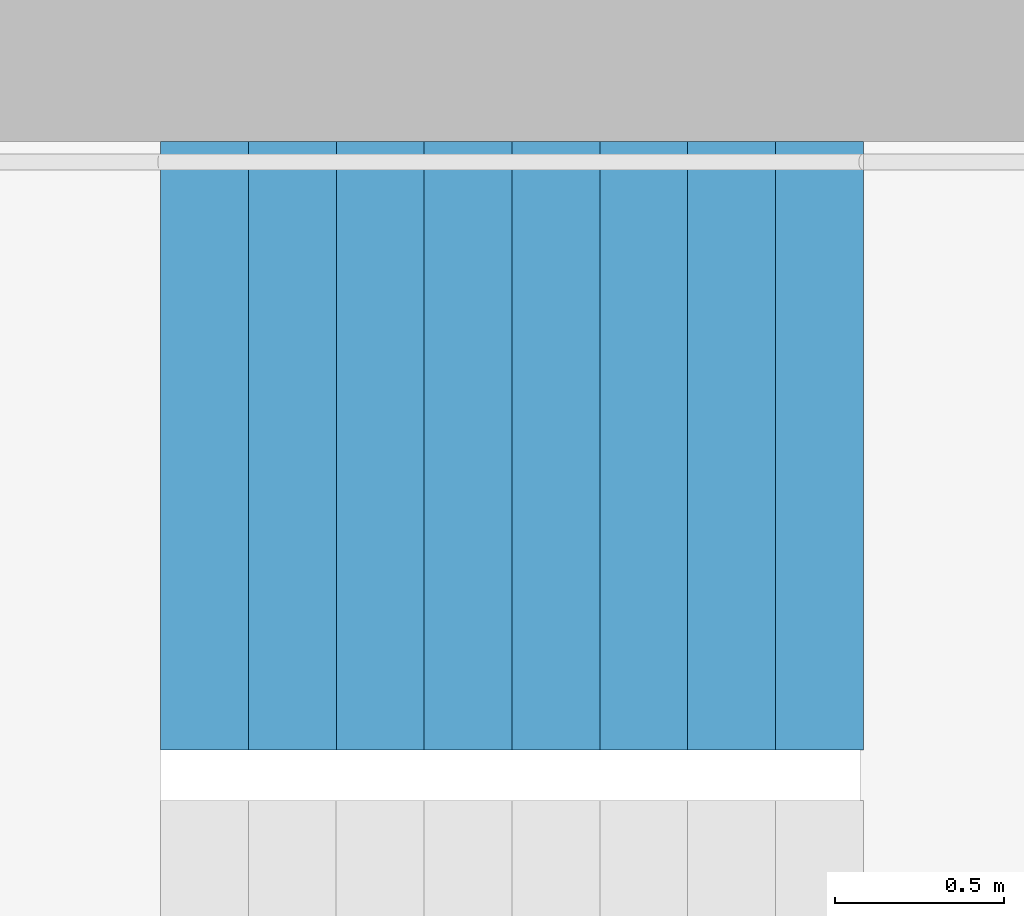
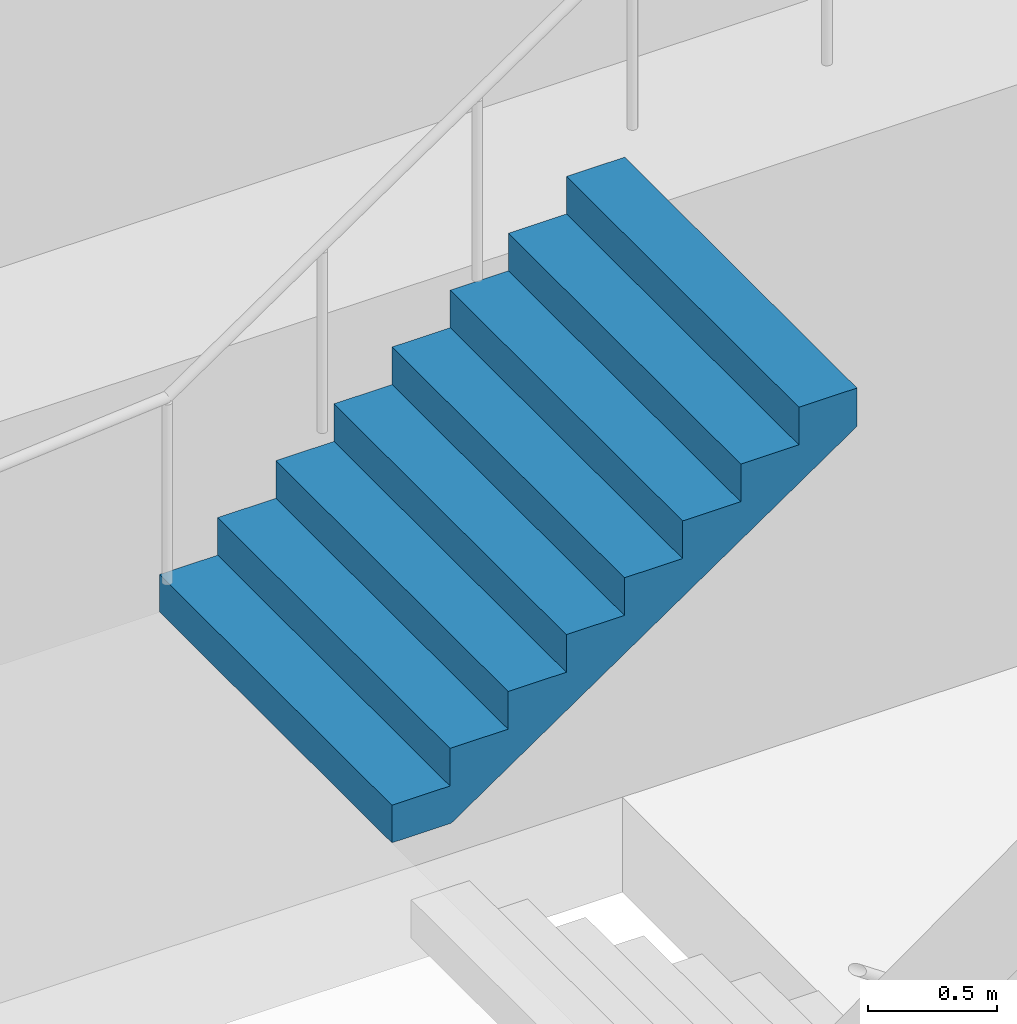
# One storey, part 26 of 27: 1 stair flight, 1 element without a shape of its own.
"""IFC4 building model written with IfcOpenShell, lengths in metres."""

from ifc_helpers import new_model, si_unit, direction, frame, origin, place, context, subcontext, project, spatial, triangles, material, type_object, element, aggregate, save


model = new_model("IFC4")

# Units and contexts
model_context = context("Model", 3, precision=1e-05, world=origin(), true_north=direction((0.0, 1.0)))
body_context = subcontext(model_context, "Body", "Model", "MODEL_VIEW")
ifc_project = project(units=[si_unit("LENGTHUNIT", "METRE"), si_unit("AREAUNIT", "SQUARE_METRE"), si_unit("VOLUMEUNIT", "CUBIC_METRE"), si_unit("PLANEANGLEUNIT", "RADIAN"), si_unit("MASSUNIT", "GRAM", prefix="KILO")], contexts=[model_context])

# Site, building, storey
site_placement = place(None, origin())
site = spatial("IfcSite", under=ifc_project, at=site_placement, CompositionType="ELEMENT")
building_placement = place(site_placement, origin())
building = spatial("IfcBuilding", under=site, at=building_placement, Name="Hakoniwa Tower and Hamabe Station Hall", CompositionType="ELEMENT")
storey_placement = place(building_placement, frame((0.0, 0.0, 242.199951171875)))
storey = spatial("IfcBuildingStorey", under=building, at=storey_placement, Name="L68", CompositionType="ELEMENT", Elevation=242.199951171875)

# Stair, stair flight
ifc_material_1 = material(Name="Concrete C40", Category="concrete")
stair_type = type_object("IfcStairType", Name="ESCAPE STAIR 1800", PredefinedType="HALF_TURN_STAIR", material=ifc_material_1)
stair_placement = place(storey_placement, origin())
stair = element("IfcStair", 1, at=stair_placement, inside=storey, type_object=stair_type, Name="Escape stair ST-3 L68", PredefinedType="HALF_TURN_STAIR")
ifc_material_2 = material(Name="Concrete C40", Category="concrete")
stair_flight_type = type_object("IfcStairFlightType", Name="STAIR FLIGHT 1800", PredefinedType="STRAIGHT", material=ifc_material_2)
stair_flight_placement = place(storey_placement, frame((22.320068359375, 6.60009765625, 1.60009765625), z_axis=(0.0, 0.0, 1.0), x_axis=(1.0, 0.0, 0.0)))
stair_flight = element("IfcStairFlight", 2, at=stair_flight_placement, type_object=stair_flight_type, Name="ST-3 flight 2", NumberOfRisers=9, NumberOfTreads=8, PredefinedType="STRAIGHT", RiserHeight=0.177777778, TreadLength=0.26, context=body_context, shape_type="Tessellation", body=[
    triangles([(0.0, 0.89990234375, 0.0), (0.260009765625, 0.89990234375, 0.0), (0.265625, 0.89990234375, 0.0), (0.52001953125, 0.89990234375, 0.174072265625), (0.780029296875, 0.89990234375, 0.351806640625), (1.0400390625, 0.89990234375, 0.529541015625), (1.300048828125, 0.89990234375, 0.707275390625), (1.56005859375, 0.89990234375, 0.885009765625), (1.820068359375, 0.89990234375, 1.062744140625), (2.080078125, 0.89990234375, 1.24072265625), (2.080078125, 0.89990234375, 1.422119140625), (1.820068359375, 0.89990234375, 1.422119140625), (1.820068359375, 0.89990234375, 1.244384765625), (1.56005859375, 0.89990234375, 1.244384765625), (1.56005859375, 0.89990234375, 1.066650390625), (1.300048828125, 0.89990234375, 1.066650390625), (1.300048828125, 0.89990234375, 0.888916015625), (1.0400390625, 0.89990234375, 0.888916015625), (1.0400390625, 0.89990234375, 0.711181640625), (0.780029296875, 0.89990234375, 0.711181640625), (0.780029296875, 0.89990234375, 0.533447265625), (0.52001953125, 0.89990234375, 0.533447265625), (0.52001953125, 0.89990234375, 0.35546875), (0.265625, 0.89990234375, 0.35546875), (0.260009765625, 0.89990234375, 0.35546875), (0.260009765625, 0.89990234375, 0.177734375), (0.0, 0.89990234375, 0.177734375), (0.0, 0.06005859375, 0.0), (0.260009765625, 0.06005859375, 0.0), (0.265625, 0.06005859375, 0.0), (0.52001953125, 0.06005859375, 0.174072265625), (0.780029296875, 0.06005859375, 0.351806640625), (1.0400390625, 0.06005859375, 0.529541015625), (1.300048828125, 0.06005859375, 0.707275390625), (1.56005859375, 0.06005859375, 0.885009765625), (1.820068359375, 0.06005859375, 1.062744140625), (2.080078125, 0.06005859375, 1.24072265625), (2.080078125, 0.06005859375, 1.422119140625), (1.820068359375, 0.06005859375, 1.422119140625), (1.820068359375, 0.06005859375, 1.244384765625), (1.56005859375, 0.06005859375, 1.244384765625), (1.56005859375, 0.06005859375, 1.066650390625), (1.300048828125, 0.06005859375, 1.066650390625), (1.300048828125, 0.06005859375, 0.888916015625), (1.0400390625, 0.06005859375, 0.888916015625), (1.0400390625, 0.06005859375, 0.711181640625), (0.780029296875, 0.06005859375, 0.711181640625), (0.780029296875, 0.06005859375, 0.533447265625), (0.52001953125, 0.06005859375, 0.533447265625), (0.52001953125, 0.06005859375, 0.35546875), (0.265625, 0.06005859375, 0.35546875), (0.260009765625, 0.06005859375, 0.35546875), (0.260009765625, 0.06005859375, 0.177734375), (0.0, 0.06005859375, 0.177734375), (0.0, 0.04296875, 0.0), (0.260009765625, 0.04296875, 0.0), (0.265625, 0.04296875, 0.0), (0.52001953125, 0.04296875, 0.174072265625), (0.780029296875, 0.04296875, 0.351806640625), (1.0400390625, 0.04296875, 0.529541015625), (1.300048828125, 0.04296875, 0.707275390625), (1.56005859375, 0.04296875, 0.885009765625), (1.820068359375, 0.04296875, 1.062744140625), (2.080078125, 0.04296875, 1.24072265625), (2.080078125, 0.04296875, 1.422119140625), (1.820068359375, 0.04296875, 1.422119140625), (1.820068359375, 0.04296875, 1.244384765625), (1.56005859375, 0.04296875, 1.244384765625), (1.56005859375, 0.04296875, 1.066650390625), (1.300048828125, 0.04296875, 1.066650390625), (1.300048828125, 0.04296875, 0.888916015625), (1.0400390625, 0.04296875, 0.888916015625), (1.0400390625, 0.04296875, 0.711181640625), (0.780029296875, 0.04296875, 0.711181640625), (0.780029296875, 0.04296875, 0.533447265625), (0.52001953125, 0.04296875, 0.533447265625), (0.52001953125, 0.04296875, 0.35546875), (0.265625, 0.04296875, 0.35546875), (0.260009765625, 0.04296875, 0.35546875), (0.260009765625, 0.04296875, 0.177734375), (0.0, 0.04296875, 0.177734375), (0.0, 0.025634765625, 0.0), (0.260009765625, 0.025634765625, 0.0), (0.265625, 0.025634765625, 0.0), (0.52001953125, 0.025634765625, 0.174072265625), (0.780029296875, 0.025634765625, 0.351806640625), (1.0400390625, 0.025634765625, 0.529541015625), (1.300048828125, 0.025634765625, 0.707275390625), (1.56005859375, 0.025634765625, 0.885009765625), (1.820068359375, 0.025634765625, 1.062744140625), (2.080078125, 0.025634765625, 1.24072265625), (2.080078125, 0.025634765625, 1.422119140625), (1.820068359375, 0.025634765625, 1.422119140625), (1.820068359375, 0.025634765625, 1.244384765625), (1.56005859375, 0.025634765625, 1.244384765625), (1.56005859375, 0.025634765625, 1.066650390625), (1.300048828125, 0.025634765625, 1.066650390625), (1.300048828125, 0.025634765625, 0.888916015625), (1.0400390625, 0.025634765625, 0.888916015625), (1.0400390625, 0.025634765625, 0.711181640625), (0.780029296875, 0.025634765625, 0.711181640625), (0.780029296875, 0.025634765625, 0.533447265625), (0.52001953125, 0.025634765625, 0.533447265625), (0.52001953125, 0.025634765625, 0.35546875), (0.265625, 0.025634765625, 0.35546875), (0.260009765625, 0.025634765625, 0.35546875), (0.260009765625, 0.025634765625, 0.177734375), (0.0, 0.025634765625, 0.177734375), (0.0, 0.008544921875, 0.0), (0.260009765625, 0.008544921875, 0.0), (0.265625, 0.008544921875, 0.0), (0.52001953125, 0.008544921875, 0.174072265625), (0.780029296875, 0.008544921875, 0.351806640625), (1.0400390625, 0.008544921875, 0.529541015625), (1.300048828125, 0.008544921875, 0.707275390625), (1.56005859375, 0.008544921875, 0.885009765625), (1.820068359375, 0.008544921875, 1.062744140625), (2.080078125, 0.008544921875, 1.24072265625), (2.080078125, 0.008544921875, 1.422119140625), (1.820068359375, 0.008544921875, 1.422119140625), (1.820068359375, 0.008544921875, 1.244384765625), (1.56005859375, 0.008544921875, 1.244384765625), (1.56005859375, 0.008544921875, 1.066650390625), (1.300048828125, 0.008544921875, 1.066650390625), (1.300048828125, 0.008544921875, 0.888916015625), (1.0400390625, 0.008544921875, 0.888916015625), (1.0400390625, 0.008544921875, 0.711181640625), (0.780029296875, 0.008544921875, 0.711181640625), (0.780029296875, 0.008544921875, 0.533447265625), (0.52001953125, 0.008544921875, 0.533447265625), (0.52001953125, 0.008544921875, 0.35546875), (0.265625, 0.008544921875, 0.35546875), (0.260009765625, 0.008544921875, 0.35546875), (0.260009765625, 0.008544921875, 0.177734375), (0.0, 0.008544921875, 0.177734375), (0.0, -0.008544921875, 0.0), (0.260009765625, -0.008544921875, 0.0), (0.265625, -0.008544921875, 0.0), (0.52001953125, -0.008544921875, 0.174072265625), (0.780029296875, -0.008544921875, 0.351806640625), (1.0400390625, -0.008544921875, 0.529541015625), (1.300048828125, -0.008544921875, 0.707275390625), (1.56005859375, -0.008544921875, 0.885009765625), (1.820068359375, -0.008544921875, 1.062744140625), (2.080078125, -0.008544921875, 1.24072265625), (2.080078125, -0.008544921875, 1.422119140625), (1.820068359375, -0.008544921875, 1.422119140625), (1.820068359375, -0.008544921875, 1.244384765625), (1.56005859375, -0.008544921875, 1.244384765625), (1.56005859375, -0.008544921875, 1.066650390625), (1.300048828125, -0.008544921875, 1.066650390625), (1.300048828125, -0.008544921875, 0.888916015625), (1.0400390625, -0.008544921875, 0.888916015625), (1.0400390625, -0.008544921875, 0.711181640625), (0.780029296875, -0.008544921875, 0.711181640625), (0.780029296875, -0.008544921875, 0.533447265625), (0.52001953125, -0.008544921875, 0.533447265625), (0.52001953125, -0.008544921875, 0.35546875), (0.265625, -0.008544921875, 0.35546875), (0.260009765625, -0.008544921875, 0.35546875), (0.260009765625, -0.008544921875, 0.177734375), (0.0, -0.008544921875, 0.177734375), (0.0, -0.025634765625, 0.0), (0.260009765625, -0.025634765625, 0.0), (0.265625, -0.025634765625, 0.0), (0.52001953125, -0.025634765625, 0.174072265625), (0.780029296875, -0.025634765625, 0.351806640625), (1.0400390625, -0.025634765625, 0.529541015625), (1.300048828125, -0.025634765625, 0.707275390625), (1.56005859375, -0.025634765625, 0.885009765625), (1.820068359375, -0.025634765625, 1.062744140625), (2.080078125, -0.025634765625, 1.24072265625), (2.080078125, -0.025634765625, 1.422119140625), (1.820068359375, -0.025634765625, 1.422119140625), (1.820068359375, -0.025634765625, 1.244384765625), (1.56005859375, -0.025634765625, 1.244384765625), (1.56005859375, -0.025634765625, 1.066650390625), (1.300048828125, -0.025634765625, 1.066650390625), (1.300048828125, -0.025634765625, 0.888916015625), (1.0400390625, -0.025634765625, 0.888916015625), (1.0400390625, -0.025634765625, 0.711181640625), (0.780029296875, -0.025634765625, 0.711181640625), (0.780029296875, -0.025634765625, 0.533447265625), (0.52001953125, -0.025634765625, 0.533447265625), (0.52001953125, -0.025634765625, 0.35546875), (0.265625, -0.025634765625, 0.35546875), (0.260009765625, -0.025634765625, 0.35546875), (0.260009765625, -0.025634765625, 0.177734375), (0.0, -0.025634765625, 0.177734375), (0.0, -0.04296875, 0.0), (0.260009765625, -0.04296875, 0.0), (0.265625, -0.04296875, 0.0), (0.52001953125, -0.04296875, 0.174072265625), (0.780029296875, -0.04296875, 0.351806640625), (1.0400390625, -0.04296875, 0.529541015625), (1.300048828125, -0.04296875, 0.707275390625), (1.56005859375, -0.04296875, 0.885009765625), (1.820068359375, -0.04296875, 1.062744140625), (2.080078125, -0.04296875, 1.24072265625), (2.080078125, -0.04296875, 1.422119140625), (1.820068359375, -0.04296875, 1.422119140625), (1.820068359375, -0.04296875, 1.244384765625), (1.56005859375, -0.04296875, 1.244384765625), (1.56005859375, -0.04296875, 1.066650390625), (1.300048828125, -0.04296875, 1.066650390625), (1.300048828125, -0.04296875, 0.888916015625), (1.0400390625, -0.04296875, 0.888916015625), (1.0400390625, -0.04296875, 0.711181640625), (0.780029296875, -0.04296875, 0.711181640625), (0.780029296875, -0.04296875, 0.533447265625), (0.52001953125, -0.04296875, 0.533447265625), (0.52001953125, -0.04296875, 0.35546875), (0.265625, -0.04296875, 0.35546875), (0.260009765625, -0.04296875, 0.35546875), (0.260009765625, -0.04296875, 0.177734375), (0.0, -0.04296875, 0.177734375), (0.0, -0.06005859375, 0.0), (0.260009765625, -0.06005859375, 0.0), (0.265625, -0.06005859375, 0.0), (0.52001953125, -0.06005859375, 0.174072265625), (0.780029296875, -0.06005859375, 0.351806640625), (1.0400390625, -0.06005859375, 0.529541015625), (1.300048828125, -0.06005859375, 0.707275390625), (1.56005859375, -0.06005859375, 0.885009765625), (1.820068359375, -0.06005859375, 1.062744140625), (2.080078125, -0.06005859375, 1.24072265625), (2.080078125, -0.06005859375, 1.422119140625), (1.820068359375, -0.06005859375, 1.422119140625), (1.820068359375, -0.06005859375, 1.244384765625), (1.56005859375, -0.06005859375, 1.244384765625), (1.56005859375, -0.06005859375, 1.066650390625), (1.300048828125, -0.06005859375, 1.066650390625), (1.300048828125, -0.06005859375, 0.888916015625), (1.0400390625, -0.06005859375, 0.888916015625), (1.0400390625, -0.06005859375, 0.711181640625), (0.780029296875, -0.06005859375, 0.711181640625), (0.780029296875, -0.06005859375, 0.533447265625), (0.52001953125, -0.06005859375, 0.533447265625), (0.52001953125, -0.06005859375, 0.35546875), (0.265625, -0.06005859375, 0.35546875), (0.260009765625, -0.06005859375, 0.35546875), (0.260009765625, -0.06005859375, 0.177734375), (0.0, -0.06005859375, 0.177734375), (0.0, -0.89990234375, 0.0), (0.260009765625, -0.89990234375, 0.0), (0.265625, -0.89990234375, 0.0), (0.52001953125, -0.89990234375, 0.174072265625), (0.780029296875, -0.89990234375, 0.351806640625), (1.0400390625, -0.89990234375, 0.529541015625), (1.300048828125, -0.89990234375, 0.707275390625), (1.56005859375, -0.89990234375, 0.885009765625), (1.820068359375, -0.89990234375, 1.062744140625), (2.080078125, -0.89990234375, 1.24072265625), (2.080078125, -0.89990234375, 1.422119140625), (1.820068359375, -0.89990234375, 1.422119140625), (1.820068359375, -0.89990234375, 1.244384765625), (1.56005859375, -0.89990234375, 1.244384765625), (1.56005859375, -0.89990234375, 1.066650390625), (1.300048828125, -0.89990234375, 1.066650390625), (1.300048828125, -0.89990234375, 0.888916015625), (1.0400390625, -0.89990234375, 0.888916015625), (1.0400390625, -0.89990234375, 0.711181640625), (0.780029296875, -0.89990234375, 0.711181640625), (0.780029296875, -0.89990234375, 0.533447265625), (0.52001953125, -0.89990234375, 0.533447265625), (0.52001953125, -0.89990234375, 0.35546875), (0.265625, -0.89990234375, 0.35546875), (0.260009765625, -0.89990234375, 0.35546875), (0.260009765625, -0.89990234375, 0.177734375), (0.0, -0.89990234375, 0.177734375)], [[2, 27, 26], [245, 269, 270], [2, 1, 27], [245, 270, 244], [3, 25, 24], [246, 267, 268], [3, 26, 25], [246, 268, 269], [3, 2, 26], [246, 269, 245], [4, 24, 23], [247, 266, 267], [4, 3, 24], [247, 267, 246], [5, 22, 21], [248, 264, 265], [5, 23, 22], [248, 265, 266], [5, 4, 23], [248, 266, 247], [6, 20, 19], [249, 262, 263], [6, 21, 20], [249, 263, 264], [6, 5, 21], [249, 264, 248], [7, 18, 17], [250, 260, 261], [7, 19, 18], [250, 261, 262], [7, 6, 19], [250, 262, 249], [8, 16, 15], [251, 258, 259], [8, 17, 16], [251, 259, 260], [8, 7, 17], [251, 260, 250], [9, 14, 13], [252, 256, 257], [9, 15, 14], [252, 257, 258], [9, 8, 15], [252, 258, 251], [10, 12, 11], [253, 254, 255], [10, 13, 12], [253, 255, 256], [10, 9, 13], [253, 256, 252], [1, 2, 29], [1, 29, 28], [28, 29, 56], [28, 56, 55], [55, 56, 83], [55, 83, 82], [82, 83, 110], [82, 110, 109], [109, 110, 137], [109, 137, 136], [136, 137, 164], [136, 164, 163], [163, 164, 191], [163, 191, 190], [190, 191, 218], [190, 218, 217], [217, 218, 245], [217, 245, 244], [2, 3, 30], [2, 30, 29], [29, 30, 57], [29, 57, 56], [56, 57, 84], [56, 84, 83], [83, 84, 111], [83, 111, 110], [110, 111, 138], [110, 138, 137], [137, 138, 165], [137, 165, 164], [164, 165, 192], [164, 192, 191], [191, 192, 219], [191, 219, 218], [218, 219, 246], [218, 246, 245], [3, 4, 31], [3, 31, 30], [30, 31, 58], [30, 58, 57], [57, 58, 85], [57, 85, 84], [84, 85, 112], [84, 112, 111], [111, 112, 139], [111, 139, 138], [138, 139, 166], [138, 166, 165], [165, 166, 193], [165, 193, 192], [192, 193, 220], [192, 220, 219], [219, 220, 247], [219, 247, 246], [4, 5, 32], [4, 32, 31], [31, 32, 59], [31, 59, 58], [58, 59, 86], [58, 86, 85], [85, 86, 113], [85, 113, 112], [112, 113, 140], [112, 140, 139], [139, 140, 167], [139, 167, 166], [166, 167, 194], [166, 194, 193], [193, 194, 221], [193, 221, 220], [220, 221, 248], [220, 248, 247], [5, 6, 33], [5, 33, 32], [32, 33, 60], [32, 60, 59], [59, 60, 87], [59, 87, 86], [86, 87, 114], [86, 114, 113], [113, 114, 141], [113, 141, 140], [140, 141, 168], [140, 168, 167], [167, 168, 195], [167, 195, 194], [194, 195, 222], [194, 222, 221], [221, 222, 249], [221, 249, 248], [6, 7, 34], [6, 34, 33], [33, 34, 61], [33, 61, 60], [60, 61, 88], [60, 88, 87], [87, 88, 115], [87, 115, 114], [114, 115, 142], [114, 142, 141], [141, 142, 169], [141, 169, 168], [168, 169, 196], [168, 196, 195], [195, 196, 223], [195, 223, 222], [222, 223, 250], [222, 250, 249], [7, 8, 35], [7, 35, 34], [34, 35, 62], [34, 62, 61], [61, 62, 89], [61, 89, 88], [88, 89, 116], [88, 116, 115], [115, 116, 143], [115, 143, 142], [142, 143, 170], [142, 170, 169], [169, 170, 197], [169, 197, 196], [196, 197, 224], [196, 224, 223], [223, 224, 251], [223, 251, 250], [8, 9, 36], [8, 36, 35], [35, 36, 63], [35, 63, 62], [62, 63, 90], [62, 90, 89], [89, 90, 117], [89, 117, 116], [116, 117, 144], [116, 144, 143], [143, 144, 171], [143, 171, 170], [170, 171, 198], [170, 198, 197], [197, 198, 225], [197, 225, 224], [224, 225, 252], [224, 252, 251], [9, 10, 37], [9, 37, 36], [36, 37, 64], [36, 64, 63], [63, 64, 91], [63, 91, 90], [90, 91, 118], [90, 118, 117], [117, 118, 145], [117, 145, 144], [144, 145, 172], [144, 172, 171], [171, 172, 199], [171, 199, 198], [198, 199, 226], [198, 226, 225], [225, 226, 253], [225, 253, 252], [10, 11, 38], [10, 38, 37], [37, 38, 65], [37, 65, 64], [64, 65, 92], [64, 92, 91], [91, 92, 119], [91, 119, 118], [118, 119, 146], [118, 146, 145], [145, 146, 173], [145, 173, 172], [172, 173, 200], [172, 200, 199], [199, 200, 227], [199, 227, 226], [226, 227, 254], [226, 254, 253], [11, 12, 39], [11, 39, 38], [38, 39, 66], [38, 66, 65], [65, 66, 93], [65, 93, 92], [92, 93, 120], [92, 120, 119], [119, 120, 147], [119, 147, 146], [146, 147, 174], [146, 174, 173], [173, 174, 201], [173, 201, 200], [200, 201, 228], [200, 228, 227], [227, 228, 255], [227, 255, 254], [12, 13, 40], [12, 40, 39], [39, 40, 67], [39, 67, 66], [66, 67, 94], [66, 94, 93], [93, 94, 121], [93, 121, 120], [120, 121, 148], [120, 148, 147], [147, 148, 175], [147, 175, 174], [174, 175, 202], [174, 202, 201], [201, 202, 229], [201, 229, 228], [228, 229, 256], [228, 256, 255], [13, 14, 41], [13, 41, 40], [40, 41, 68], [40, 68, 67], [67, 68, 95], [67, 95, 94], [94, 95, 122], [94, 122, 121], [121, 122, 149], [121, 149, 148], [148, 149, 176], [148, 176, 175], [175, 176, 203], [175, 203, 202], [202, 203, 230], [202, 230, 229], [229, 230, 257], [229, 257, 256], [14, 15, 42], [14, 42, 41], [41, 42, 69], [41, 69, 68], [68, 69, 96], [68, 96, 95], [95, 96, 123], [95, 123, 122], [122, 123, 150], [122, 150, 149], [149, 150, 177], [149, 177, 176], [176, 177, 204], [176, 204, 203], [203, 204, 231], [203, 231, 230], [230, 231, 258], [230, 258, 257], [15, 16, 43], [15, 43, 42], [42, 43, 70], [42, 70, 69], [69, 70, 97], [69, 97, 96], [96, 97, 124], [96, 124, 123], [123, 124, 151], [123, 151, 150], [150, 151, 178], [150, 178, 177], [177, 178, 205], [177, 205, 204], [204, 205, 232], [204, 232, 231], [231, 232, 259], [231, 259, 258], [16, 17, 44], [16, 44, 43], [43, 44, 71], [43, 71, 70], [70, 71, 98], [70, 98, 97], [97, 98, 125], [97, 125, 124], [124, 125, 152], [124, 152, 151], [151, 152, 179], [151, 179, 178], [178, 179, 206], [178, 206, 205], [205, 206, 233], [205, 233, 232], [232, 233, 260], [232, 260, 259], [17, 18, 45], [17, 45, 44], [44, 45, 72], [44, 72, 71], [71, 72, 99], [71, 99, 98], [98, 99, 126], [98, 126, 125], [125, 126, 153], [125, 153, 152], [152, 153, 180], [152, 180, 179], [179, 180, 207], [179, 207, 206], [206, 207, 234], [206, 234, 233], [233, 234, 261], [233, 261, 260], [18, 19, 46], [18, 46, 45], [45, 46, 73], [45, 73, 72], [72, 73, 100], [72, 100, 99], [99, 100, 127], [99, 127, 126], [126, 127, 154], [126, 154, 153], [153, 154, 181], [153, 181, 180], [180, 181, 208], [180, 208, 207], [207, 208, 235], [207, 235, 234], [234, 235, 262], [234, 262, 261], [19, 20, 47], [19, 47, 46], [46, 47, 74], [46, 74, 73], [73, 74, 101], [73, 101, 100], [100, 101, 128], [100, 128, 127], [127, 128, 155], [127, 155, 154], [154, 155, 182], [154, 182, 181], [181, 182, 209], [181, 209, 208], [208, 209, 236], [208, 236, 235], [235, 236, 263], [235, 263, 262], [20, 21, 48], [20, 48, 47], [47, 48, 75], [47, 75, 74], [74, 75, 102], [74, 102, 101], [101, 102, 129], [101, 129, 128], [128, 129, 156], [128, 156, 155], [155, 156, 183], [155, 183, 182], [182, 183, 210], [182, 210, 209], [209, 210, 237], [209, 237, 236], [236, 237, 264], [236, 264, 263], [21, 22, 49], [21, 49, 48], [48, 49, 76], [48, 76, 75], [75, 76, 103], [75, 103, 102], [102, 103, 130], [102, 130, 129], [129, 130, 157], [129, 157, 156], [156, 157, 184], [156, 184, 183], [183, 184, 211], [183, 211, 210], [210, 211, 238], [210, 238, 237], [237, 238, 265], [237, 265, 264], [22, 23, 50], [22, 50, 49], [49, 50, 77], [49, 77, 76], [76, 77, 104], [76, 104, 103], [103, 104, 131], [103, 131, 130], [130, 131, 158], [130, 158, 157], [157, 158, 185], [157, 185, 184], [184, 185, 212], [184, 212, 211], [211, 212, 239], [211, 239, 238], [238, 239, 266], [238, 266, 265], [23, 24, 51], [23, 51, 50], [50, 51, 78], [50, 78, 77], [77, 78, 105], [77, 105, 104], [104, 105, 132], [104, 132, 131], [131, 132, 159], [131, 159, 158], [158, 159, 186], [158, 186, 185], [185, 186, 213], [185, 213, 212], [212, 213, 240], [212, 240, 239], [239, 240, 267], [239, 267, 266], [24, 25, 52], [24, 52, 51], [51, 52, 79], [51, 79, 78], [78, 79, 106], [78, 106, 105], [105, 106, 133], [105, 133, 132], [132, 133, 160], [132, 160, 159], [159, 160, 187], [159, 187, 186], [186, 187, 214], [186, 214, 213], [213, 214, 241], [213, 241, 240], [240, 241, 268], [240, 268, 267], [25, 26, 53], [25, 53, 52], [52, 53, 80], [52, 80, 79], [79, 80, 107], [79, 107, 106], [106, 107, 134], [106, 134, 133], [133, 134, 161], [133, 161, 160], [160, 161, 188], [160, 188, 187], [187, 188, 215], [187, 215, 214], [214, 215, 242], [214, 242, 241], [241, 242, 269], [241, 269, 268], [26, 27, 54], [26, 54, 53], [53, 54, 81], [53, 81, 80], [80, 81, 108], [80, 108, 107], [107, 108, 135], [107, 135, 134], [134, 135, 162], [134, 162, 161], [161, 162, 189], [161, 189, 188], [188, 189, 216], [188, 216, 215], [215, 216, 243], [215, 243, 242], [242, 243, 270], [242, 270, 269], [27, 1, 28], [27, 28, 54], [54, 28, 55], [54, 55, 81], [81, 55, 82], [81, 82, 108], [108, 82, 109], [108, 109, 135], [135, 109, 136], [135, 136, 162], [162, 136, 163], [162, 163, 189], [189, 163, 190], [189, 190, 216], [216, 190, 217], [216, 217, 243], [243, 217, 244], [243, 244, 270]], closed=True),
])
aggregate(stair, [stair_flight])

save(model, "model.ifc")
